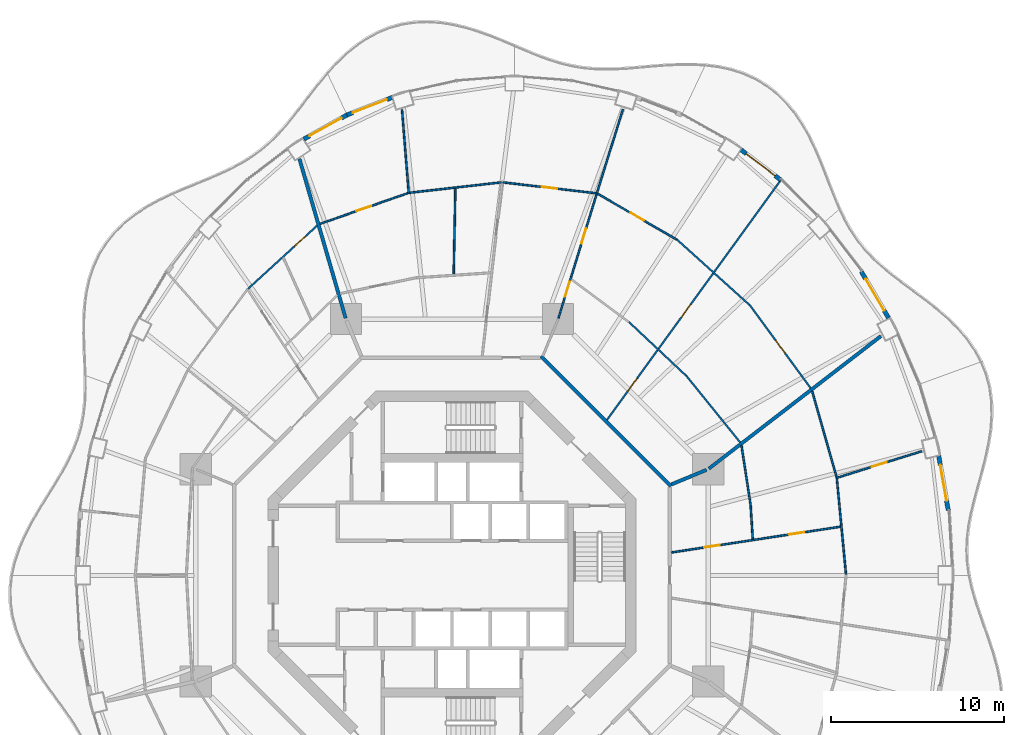
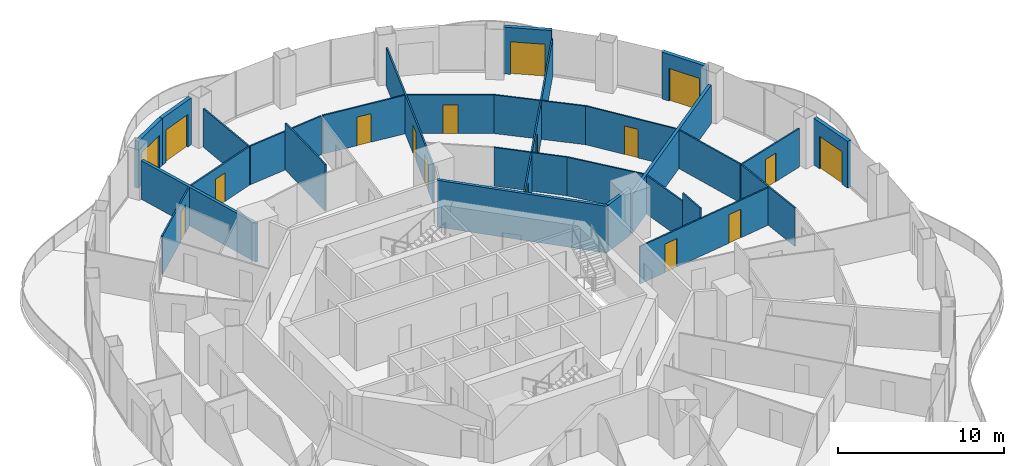
# One storey, part 15 of 19: 28 walls, 17 doors, 17 openings.
"""IFC4 building model written with IfcOpenShell, lengths in metres."""

from ifc_helpers import new_model, si_unit, direction, frame, frame_2d, origin, place, context, subcontext, project, spatial, rectangle, extrude, material, layer, layer_set, type_object, element, fill, save


model = new_model("IFC4")

# Units and contexts
model_context = context("Model", 3, precision=1e-05, world=origin(), true_north=direction((0.0, 1.0)))
body_context = subcontext(model_context, "Body", "Model", "MODEL_VIEW")
ifc_project = project(units=[si_unit("LENGTHUNIT", "METRE"), si_unit("AREAUNIT", "SQUARE_METRE"), si_unit("VOLUMEUNIT", "CUBIC_METRE"), si_unit("PLANEANGLEUNIT", "RADIAN"), si_unit("MASSUNIT", "GRAM", prefix="KILO")], contexts=[model_context])

# Site, building, storey
site_placement = place(None, origin())
site = spatial("IfcSite", under=ifc_project, at=site_placement, CompositionType="ELEMENT")
building_placement = place(site_placement, origin())
building = spatial("IfcBuilding", under=site, at=building_placement, Name="Nagisa Residences", CompositionType="ELEMENT")
storey_placement = place(building_placement, frame((0.0, 0.0, 195.5)))
storey = spatial("IfcBuildingStorey", under=building, at=storey_placement, Name="L49", CompositionType="ELEMENT", Elevation=195.5)

# Walls
ifc_material_1 = material(Name="Gypsum board on steel studs", Category="steel")
ifc_layer_1 = layer(ifc_material_1, 0.199951171875)
ifc_layer_set_1 = layer_set([ifc_layer_1], Name="Apartment compartment wall EI60 200")
wall_type_1 = type_object("IfcWallType", Name="Apartment compartment wall EI60 200", PredefinedType="PARTITIONING", material=ifc_layer_set_1)
wall_1_placement = place(storey_placement, frame((12.6572265625, 5.24267578125, 0.0), z_axis=(0.0, 0.0, 1.0), x_axis=(0.92383017907, 0.382802560388, 0.0)))
element("IfcWall", 1, at=wall_1_placement, inside=storey, type_object=wall_type_1, Name="wall:L49:u00", PredefinedType="PARTITIONING", context=body_context, shape_type="SweptSolid", body=[
    extrude(rectangle(XDim=2.2001953125, YDim=0.199951171875, at=frame_2d((1.10009765625, 0.0))), origin(), (0.0, 0.0, 1.0), 3.43994140625),
])
wall_2_placement = place(storey_placement, frame((14.82177734375, 6.153564453125, 0.0), z_axis=(0.0, 0.0, 1.0), x_axis=(0.792203056092, 0.610257583254, 0.0)))
element("IfcWall", 2, at=wall_2_placement, inside=storey, type_object=wall_type_1, Name="wall:L49:u01", PredefinedType="PARTITIONING", context=body_context, shape_type="SweptSolid", body=[
    extrude(rectangle(XDim=12.53271484375, YDim=0.199951171875, at=frame_2d((6.266357421875, 0.0))), origin(), (0.0, 0.0, 1.0), 2.8369140625),
])
wall_3_placement = place(storey_placement, frame((-6.136962890625, 14.830078125, 0.0), z_axis=(0.0, 0.0, 1.0), x_axis=(-0.278461169897, 0.96044748782, 0.0)))
element("IfcWall", 3, at=wall_3_placement, inside=storey, type_object=wall_type_1, Name="wall:L49:u03", PredefinedType="PARTITIONING", context=body_context, shape_type="SweptSolid", body=[
    extrude(rectangle(XDim=9.5732421875, YDim=0.199951171875, at=frame_2d((4.78662109375, 0.0))), origin(), (0.0, 0.0, 1.0), 2.8369140625),
])
ifc_material_2 = material(Name="Gypsum board on steel studs", Category="steel")
ifc_layer_2 = layer(ifc_material_2, 0.199951171875)
ifc_layer_set_2 = layer_set([ifc_layer_2], Name="Apartment entry wall EI60 200")
wall_type_2 = type_object("IfcWallType", Name="Apartment entry wall EI60 200", PredefinedType="PARTITIONING", material=ifc_layer_set_2)
wall_4_placement = place(storey_placement, frame((12.635498046875, 5.1337890625, 0.0), z_axis=(0.0, 0.0, 1.0), x_axis=(-0.707106781187, 0.707106781187, 0.0)))
element("IfcWall", 4, at=wall_4_placement, inside=storey, type_object=wall_type_2, Name="wall:L49:u11", PredefinedType="PARTITIONING", context=body_context, shape_type="SweptSolid", body=[
    extrude(rectangle(XDim=10.609130859375, YDim=0.199951171875, at=frame_2d((5.3046875, 0.0))), origin(), (0.0, 0.0, 1.0), 3.43994140625),
])
ifc_material_3 = material(Name="Gypsum board on steel studs", Category="steel")
ifc_layer_3 = layer(ifc_material_3, 0.10009765625)
ifc_layer_set_3 = layer_set([ifc_layer_3], Name="Apartment partition 100")
wall_type_3 = type_object("IfcWallType", Name="Apartment partition 100", PredefinedType="PARTITIONING", material=ifc_layer_set_3)
wall_5_placement = place(storey_placement, frame((22.734375, 0.0498046875, 0.0), z_axis=(0.0, 0.0, 1.0), x_axis=(-0.094923312677, 0.995484587882, 0.0)))
element("IfcWall", 5, at=wall_5_placement, inside=storey, type_object=wall_type_3, Name="wall:L49:u18", PredefinedType="PARTITIONING", context=body_context, shape_type="SweptSolid", body=[
    extrude(rectangle(XDim=5.5478515625, YDim=0.10009765625, at=frame_2d((2.77392578125, 0.0))), origin(), (0.0, 0.0, 1.0), 2.8369140625),
])

# Wall, openings, doors
wall_6_placement = place(storey_placement, frame((12.66357421875, 1.316162109375, 0.0), z_axis=(0.0, 0.0, 1.0), x_axis=(0.988579217853, 0.150702123505, 0.0)))
wall_6 = element("IfcWall", 6, at=wall_6_placement, inside=storey, type_object=wall_type_3, Name="wall:L49:u20", PredefinedType="PARTITIONING", context=body_context, shape_type="SweptSolid", body=[
    extrude(rectangle(XDim=9.870849609375, YDim=0.10009765625, at=frame_2d((4.935546875, 0.0))), origin(), (0.0, 0.0, 1.0), 2.756103515625),
])
opening_1_placement = place(wall_6_placement, frame((1.92431640625, 0.0, 0.0)))
opening_1 = element("IfcOpeningElement", 7, at=opening_1_placement, cuts=wall_6, Name="Opening L49-U24", PredefinedType="OPENING", context=body_context, shape_type="SweptSolid", body=[
    extrude(rectangle(XDim=0.89990234375, YDim=2.10009765625, at=frame_2d((0.449951171875, 1.050048828125))), frame((0.0, 0.06005859375, 0.0), z_axis=(0.0, -1.0, 0.0), x_axis=(1.0, 0.0, 0.0)), (0.0, 0.0, 1.0), 0.1201171875),
])
opening_2_placement = place(wall_6_placement, frame((6.859619140625, 0.0, 0.0)))
opening_2 = element("IfcOpeningElement", 8, at=opening_2_placement, cuts=wall_6, Name="Opening L49-U27", PredefinedType="OPENING", context=body_context, shape_type="SweptSolid", body=[
    extrude(rectangle(XDim=0.89990234375, YDim=2.10009765625, at=frame_2d((0.449951171875, 1.050048828125))), frame((0.0, 0.06005859375, 0.0), z_axis=(0.0, -1.0, 0.0), x_axis=(1.0, 0.0, 0.0)), (0.0, 0.0, 1.0), 0.1201171875),
])
ifc_material_4 = material(Name="Timber door set", Category="wood")
door_type_1 = type_object("IfcDoorType", Name="Apartment door 900x2100", OperationType="NOTDEFINED", PredefinedType="DOOR", material=ifc_material_4)
door_1_placement = place(opening_1_placement, origin())
door_1 = element("IfcDoor", 9, at=door_1_placement, inside=storey, type_object=door_type_1, Name="Door to laundry, Apartment 49C", OperationType="SINGLE_SWING_RIGHT", OverallHeight=2.10009765625, OverallWidth=0.89990234375, PredefinedType="DOOR", context=body_context, shape_type="SweptSolid", body=[
    extrude(rectangle(XDim=0.89990234375, YDim=2.10009765625, at=frame_2d((0.449951171875, 1.050048828125))), frame((0.0, 0.02490234375, 0.0), z_axis=(0.0, -1.0, 0.0), x_axis=(1.0, 0.0, 0.0)), (0.0, 0.0, 1.0), 0.050048828125),
])
fill(opening_1, door_1)
door_2_placement = place(opening_2_placement, origin())
door_2 = element("IfcDoor", 10, at=door_2_placement, inside=storey, type_object=door_type_1, Name="Door to kitchen, Apartment 49C", OperationType="SINGLE_SWING_LEFT", OverallHeight=2.10009765625, OverallWidth=0.89990234375, PredefinedType="DOOR", context=body_context, shape_type="SweptSolid", body=[
    extrude(rectangle(XDim=0.89990234375, YDim=2.10009765625, at=frame_2d((0.449951171875, 1.050048828125))), frame((0.0, 0.02490234375, 0.0), z_axis=(0.0, -1.0, 0.0), x_axis=(1.0, 0.0, 0.0)), (0.0, 0.0, 1.0), 0.050048828125),
])
fill(opening_2, door_2)

# Walls
wall_7_placement = place(storey_placement, frame((17.35498046875, 2.081787109375, 0.0), z_axis=(0.0, 0.0, 1.0), x_axis=(-0.063689464349, 0.997969765139, 0.0)))
element("IfcWall", 11, at=wall_7_placement, inside=storey, type_object=wall_type_3, Name="wall:L49:u21", PredefinedType="PARTITIONING", context=body_context, shape_type="SweptSolid", body=[
    extrude(rectangle(XDim=1.935791015625, YDim=0.10009765625, at=frame_2d((0.9677734375, 0.0))), origin(), (0.0, 0.0, 1.0), 3.43994140625),
])
wall_8_placement = place(storey_placement, frame((17.236083984375, 4.01416015625, 0.0), z_axis=(0.0, 0.0, 1.0), x_axis=(-0.151087537093, 0.988520387314, 0.0)))
element("IfcWall", 12, at=wall_8_placement, inside=storey, type_object=wall_type_3, Name="wall:L49:u22", PredefinedType="PARTITIONING", context=body_context, shape_type="SweptSolid", body=[
    extrude(rectangle(XDim=3.519287109375, YDim=0.10009765625, at=frame_2d((1.759765625, 0.0))), origin(), (0.0, 0.0, 1.0), 2.8369140625),
])

# Wall, opening, door
wall_9_placement = place(storey_placement, frame((22.1552734375, 5.607421875, 0.0), z_axis=(0.0, 0.0, 1.0), x_axis=(0.954251251005, 0.299005936321, 0.0)))
wall_9 = element("IfcWall", 13, at=wall_9_placement, inside=storey, type_object=wall_type_3, Name="wall:L49:u23", PredefinedType="PARTITIONING", context=body_context, shape_type="SweptSolid", body=[
    extrude(rectangle(XDim=5.19140625, YDim=0.10009765625, at=frame_2d((2.595703125, 0.0))), origin(), (0.0, 0.0, 1.0), 2.8369140625),
])
opening_3_placement = place(wall_9_placement, frame((2.170654296875, 0.0, 0.0)))
opening_3 = element("IfcOpeningElement", 14, at=opening_3_placement, cuts=wall_9, Name="Opening L49-U30", PredefinedType="OPENING", context=body_context, shape_type="SweptSolid", body=[
    extrude(rectangle(XDim=0.89990234375, YDim=2.10009765625, at=frame_2d((0.449951171875, 1.050048828125))), frame((0.0, 0.06005859375, 0.0), z_axis=(0.0, -1.0, 0.0), x_axis=(1.0, 0.0, 0.0)), (0.0, 0.0, 1.0), 0.1201171875),
])
door_3_placement = place(opening_3_placement, origin())
door_3 = element("IfcDoor", 15, at=door_3_placement, inside=storey, type_object=door_type_1, Name="Door to bedroom, Apartment 49C", OperationType="SINGLE_SWING_RIGHT", OverallHeight=2.10009765625, OverallWidth=0.89990234375, PredefinedType="DOOR", context=body_context, shape_type="SweptSolid", body=[
    extrude(rectangle(XDim=0.89990234375, YDim=2.10009765625, at=frame_2d((0.449951171875, 1.050048828125))), frame((0.0, 0.02490234375, 0.0), z_axis=(0.0, -1.0, 0.0), x_axis=(1.0, 0.0, 0.0)), (0.0, 0.0, 1.0), 0.050048828125),
])
fill(opening_3, door_3)

# Walls
wall_10_placement = place(storey_placement, frame((22.189453125, 5.67041015625, 0.0), z_axis=(0.0, 0.0, 1.0), x_axis=(-0.273819702124, 0.961781040949, 0.0)))
element("IfcWall", 16, at=wall_10_placement, inside=storey, type_object=wall_type_3, Name="wall:L49:u24", PredefinedType="PARTITIONING", context=body_context, shape_type="SweptSolid", body=[
    extrude(rectangle(XDim=5.151611328125, YDim=0.10009765625, at=frame_2d((2.57568359375, 0.0))), origin(), (0.0, 0.0, 1.0), 2.8369140625),
])
wall_11_placement = place(storey_placement, frame((16.626220703125, 7.669921875, 0.0), z_axis=(0.0, 0.0, 1.0), x_axis=(-0.628764602857, 0.777595700987, 0.0)))
element("IfcWall", 17, at=wall_11_placement, inside=storey, type_object=wall_type_3, Name="wall:L49:u25", PredefinedType="PARTITIONING", context=body_context, shape_type="SweptSolid", body=[
    extrude(rectangle(XDim=4.957275390625, YDim=0.10009765625, at=frame_2d((2.478515625, 0.0))), origin(), (0.0, 0.0, 1.0), 2.8369140625),
])

# Wall, opening, door
wall_12_placement = place(storey_placement, frame((20.6923828125, 10.802001953125, 0.0), z_axis=(0.0, 0.0, 1.0), x_axis=(-0.591122127251, 0.806582066918, 0.0)))
wall_12 = element("IfcWall", 18, at=wall_12_placement, inside=storey, type_object=wall_type_3, Name="wall:L49:u26", PredefinedType="PARTITIONING", context=body_context, shape_type="SweptSolid", body=[
    extrude(rectangle(XDim=5.960205078125, YDim=0.10009765625, at=frame_2d((2.97998046875, 0.0))), origin(), (0.0, 0.0, 1.0), 2.8369140625),
])
opening_4_placement = place(wall_12_placement, frame((2.5048828125, 0.0, 0.0)))
opening_4 = element("IfcOpeningElement", 19, at=opening_4_placement, cuts=wall_12, Name="Opening L49-U42", PredefinedType="OPENING", context=body_context, shape_type="SweptSolid", body=[
    extrude(rectangle(XDim=0.89990234375, YDim=2.10009765625, at=frame_2d((0.449951171875, 1.050048828125))), frame((0.0, 0.06005859375, 0.0), z_axis=(0.0, -1.0, 0.0), x_axis=(1.0, 0.0, 0.0)), (0.0, 0.0, 1.0), 0.1201171875),
])
door_4_placement = place(opening_4_placement, frame((0.89990234375, 0.0, 0.0), x_axis=(-1.0, 0.0, 0.0)))
door_4 = element("IfcDoor", 20, at=door_4_placement, inside=storey, type_object=door_type_1, Name="Door to dining room, Apartment 49D", OperationType="SINGLE_SWING_LEFT", OverallHeight=2.10009765625, OverallWidth=0.89990234375, PredefinedType="DOOR", context=body_context, shape_type="SweptSolid", body=[
    extrude(rectangle(XDim=0.89990234375, YDim=2.10009765625, at=frame_2d((0.449951171875, 1.050048828125))), frame((0.0, 0.02490234375, 0.0), z_axis=(0.0, -1.0, 0.0), x_axis=(1.0, 0.0, 0.0)), (0.0, 0.0, 1.0), 0.050048828125),
])
fill(opening_4, door_4)

# Walls
wall_13_placement = place(storey_placement, frame((13.50439453125, 11.52001953125, 0.0), z_axis=(0.0, 0.0, 1.0), x_axis=(-0.728883199496, 0.684638066055, 0.0)))
element("IfcWall", 21, at=wall_13_placement, inside=storey, type_object=wall_type_3, Name="wall:L49:u27", PredefinedType="PARTITIONING", context=body_context, shape_type="SweptSolid", body=[
    extrude(rectangle(XDim=4.519287109375, YDim=0.10009765625, at=frame_2d((2.259765625, 0.0))), origin(), (0.0, 0.0, 1.0), 2.8369140625),
])
wall_14_placement = place(storey_placement, frame((17.16162109375, 15.6025390625, 0.0), z_axis=(0.0, 0.0, 1.0), x_axis=(-0.742768881471, 0.669547898748, 0.0)))
element("IfcWall", 22, at=wall_14_placement, inside=storey, type_object=wall_type_3, Name="wall:L49:u28", PredefinedType="PARTITIONING", context=body_context, shape_type="SweptSolid", body=[
    extrude(rectangle(XDim=5.6416015625, YDim=0.10009765625, at=frame_2d((2.82080078125, 0.0))), origin(), (0.0, 0.0, 1.0), 2.8369140625),
])

# Wall, openings, doors
wall_15_placement = place(storey_placement, frame((8.943359375, 8.965576171875, 0.0), z_axis=(0.0, 0.0, 1.0), x_axis=(0.586803608919, 0.809729290912, 0.0)))
wall_15 = element("IfcWall", 23, at=wall_15_placement, inside=storey, type_object=wall_type_3, Name="wall:L49:u29", PredefinedType="PARTITIONING", context=body_context, shape_type="SweptSolid", body=[
    extrude(rectangle(XDim=17.1787109375, YDim=0.10009765625, at=frame_2d((8.58935546875, 0.0))), origin(), (0.0, 0.0, 1.0), 2.756103515625),
])
opening_5_placement = place(wall_15_placement, frame((2.0625, 0.0, 0.0)))
opening_5 = element("IfcOpeningElement", 24, at=opening_5_placement, cuts=wall_15, Name="Opening L49-U40", PredefinedType="OPENING", context=body_context, shape_type="SweptSolid", body=[
    extrude(rectangle(XDim=0.89990234375, YDim=2.10009765625, at=frame_2d((0.449951171875, 1.050048828125))), frame((0.0, 0.06005859375, 0.0), z_axis=(0.0, -1.0, 0.0), x_axis=(1.0, 0.0, 0.0)), (0.0, 0.0, 1.0), 0.1201171875),
])
opening_6_placement = place(wall_15_placement, frame((7.307861328125, 0.0, 0.0)))
opening_6 = element("IfcOpeningElement", 25, at=opening_6_placement, cuts=wall_15, Name="Opening L49-U41", PredefinedType="OPENING", context=body_context, shape_type="SweptSolid", body=[
    extrude(rectangle(XDim=0.89990234375, YDim=2.10009765625, at=frame_2d((0.449951171875, 1.050048828125))), frame((0.0, 0.06005859375, 0.0), z_axis=(0.0, -1.0, 0.0), x_axis=(1.0, 0.0, 0.0)), (0.0, 0.0, 1.0), 0.1201171875),
])
door_5_placement = place(opening_5_placement, frame((0.89990234375, 0.0, 0.0), x_axis=(-1.0, 0.0, 0.0)))
door_5 = element("IfcDoor", 26, at=door_5_placement, inside=storey, type_object=door_type_1, Name="Door to store, Apartment 49D", OperationType="SINGLE_SWING_LEFT", OverallHeight=2.10009765625, OverallWidth=0.89990234375, PredefinedType="DOOR", context=body_context, shape_type="SweptSolid", body=[
    extrude(rectangle(XDim=0.89990234375, YDim=2.10009765625, at=frame_2d((0.449951171875, 1.050048828125))), frame((0.0, 0.02490234375, 0.0), z_axis=(0.0, -1.0, 0.0), x_axis=(1.0, 0.0, 0.0)), (0.0, 0.0, 1.0), 0.050048828125),
])
fill(opening_5, door_5)
door_6_placement = place(opening_6_placement, frame((0.89990234375, 0.0, 0.0), x_axis=(-1.0, 0.0, 0.0)))
door_6 = element("IfcDoor", 27, at=door_6_placement, inside=storey, type_object=door_type_1, Name="Door to kitchen, Apartment 49D", OperationType="SINGLE_SWING_RIGHT", OverallHeight=2.10009765625, OverallWidth=0.89990234375, PredefinedType="DOOR", context=body_context, shape_type="SweptSolid", body=[
    extrude(rectangle(XDim=0.89990234375, YDim=2.10009765625, at=frame_2d((0.449951171875, 1.050048828125))), frame((0.0, 0.02490234375, 0.0), z_axis=(0.0, -1.0, 0.0), x_axis=(1.0, 0.0, 0.0)), (0.0, 0.0, 1.0), 0.050048828125),
])
fill(opening_6, door_6)

# Wall, opening, door
wall_16_placement = place(storey_placement, frame((12.965087890625, 19.371337890625, 0.0), z_axis=(0.0, 0.0, 1.0), x_axis=(-0.865277177388, 0.501293732547, 0.0)))
wall_16 = element("IfcWall", 28, at=wall_16_placement, inside=storey, type_object=wall_type_3, Name="wall:L49:u31", PredefinedType="PARTITIONING", context=body_context, shape_type="SweptSolid", body=[
    extrude(rectangle(XDim=5.27001953125, YDim=0.10009765625, at=frame_2d((2.635009765625, 0.0))), origin(), (0.0, 0.0, 1.0), 2.8369140625),
])
opening_7_placement = place(wall_16_placement, frame((2.18505859375, 0.0, 0.0)))
opening_7 = element("IfcOpeningElement", 29, at=opening_7_placement, cuts=wall_16, Name="Opening L49-U37", PredefinedType="OPENING", context=body_context, shape_type="SweptSolid", body=[
    extrude(rectangle(XDim=0.89990234375, YDim=2.10009765625, at=frame_2d((0.449951171875, 1.050048828125))), frame((0.0, 0.06005859375, 0.0), z_axis=(0.0, -1.0, 0.0), x_axis=(1.0, 0.0, 0.0)), (0.0, 0.0, 1.0), 0.1201171875),
])
door_7_placement = place(opening_7_placement, frame((0.89990234375, 0.0, 0.0), x_axis=(-1.0, 0.0, 0.0)))
door_7 = element("IfcDoor", 30, at=door_7_placement, inside=storey, type_object=door_type_1, Name="Door to master bedroom, Apartment 49D", OperationType="SINGLE_SWING_RIGHT", OverallHeight=2.10009765625, OverallWidth=0.89990234375, PredefinedType="DOOR", context=body_context, shape_type="SweptSolid", body=[
    extrude(rectangle(XDim=0.89990234375, YDim=2.10009765625, at=frame_2d((0.449951171875, 1.050048828125))), frame((0.0, 0.02490234375, 0.0), z_axis=(0.0, -1.0, 0.0), x_axis=(1.0, 0.0, 0.0)), (0.0, 0.0, 1.0), 0.050048828125),
])
fill(opening_7, door_7)

# Wall, openings, doors
wall_17_placement = place(storey_placement, frame((6.1376953125, 14.829833984375, 0.0), z_axis=(0.0, 0.0, 1.0), x_axis=(0.294818517221, 0.955553264818, 0.0)))
wall_17 = element("IfcWall", 31, at=wall_17_placement, inside=storey, type_object=wall_type_3, Name="wall:L49:u33", PredefinedType="PARTITIONING", context=body_context, shape_type="SweptSolid", body=[
    extrude(rectangle(XDim=12.619384765625, YDim=0.10009765625, at=frame_2d((6.3095703125, 0.0))), origin(), (0.0, 0.0, 1.0), 2.8369140625),
])
opening_8_placement = place(wall_17_placement, frame((1.3056640625, 0.0, 0.0)))
opening_8 = element("IfcOpeningElement", 32, at=opening_8_placement, cuts=wall_17, Name="Opening L49-U32", PredefinedType="OPENING", context=body_context, shape_type="SweptSolid", body=[
    extrude(rectangle(XDim=0.89990234375, YDim=2.10009765625, at=frame_2d((0.449951171875, 1.050048828125))), frame((0.0, 0.06005859375, 0.0), z_axis=(0.0, -1.0, 0.0), x_axis=(1.0, 0.0, 0.0)), (0.0, 0.0, 1.0), 0.1201171875),
])
opening_9_placement = place(wall_17_placement, frame((4.5146484375, 0.0, 0.0)))
opening_9 = element("IfcOpeningElement", 33, at=opening_9_placement, cuts=wall_17, Name="Opening L49-U34", PredefinedType="OPENING", context=body_context, shape_type="SweptSolid", body=[
    extrude(rectangle(XDim=0.89990234375, YDim=2.10009765625, at=frame_2d((0.449951171875, 1.050048828125))), frame((0.0, 0.06005859375, 0.0), z_axis=(0.0, -1.0, 0.0), x_axis=(1.0, 0.0, 0.0)), (0.0, 0.0, 1.0), 0.1201171875),
])
door_8_placement = place(opening_8_placement, frame((0.89990234375, 0.0, 0.0), x_axis=(-1.0, 0.0, 0.0)))
door_8 = element("IfcDoor", 34, at=door_8_placement, inside=storey, type_object=door_type_1, Name="Door to laundry, Apartment 49D", OperationType="SINGLE_SWING_LEFT", OverallHeight=2.10009765625, OverallWidth=0.89990234375, PredefinedType="DOOR", context=body_context, shape_type="SweptSolid", body=[
    extrude(rectangle(XDim=0.89990234375, YDim=2.10009765625, at=frame_2d((0.449951171875, 1.050048828125))), frame((0.0, 0.02490234375, 0.0), z_axis=(0.0, -1.0, 0.0), x_axis=(1.0, 0.0, 0.0)), (0.0, 0.0, 1.0), 0.050048828125),
])
fill(opening_8, door_8)
door_9_placement = place(opening_9_placement, frame((0.89990234375, 0.0, 0.0), x_axis=(-1.0, 0.0, 0.0)))
door_9 = element("IfcDoor", 35, at=door_9_placement, inside=storey, type_object=door_type_1, Name="Door to study, Apartment 49D", OperationType="SINGLE_SWING_LEFT", OverallHeight=2.10009765625, OverallWidth=0.89990234375, PredefinedType="DOOR", context=body_context, shape_type="SweptSolid", body=[
    extrude(rectangle(XDim=0.89990234375, YDim=2.10009765625, at=frame_2d((0.449951171875, 1.050048828125))), frame((0.0, 0.02490234375, 0.0), z_axis=(0.0, -1.0, 0.0), x_axis=(1.0, 0.0, 0.0)), (0.0, 0.0, 1.0), 0.050048828125),
])
fill(opening_9, door_9)

# Wall, opening, door
wall_18_placement = place(storey_placement, frame((8.31201171875, 22.0439453125, 0.0), z_axis=(0.0, 0.0, 1.0), x_axis=(-0.993245806382, 0.1160291692, 0.0)))
wall_18 = element("IfcWall", 36, at=wall_18_placement, inside=storey, type_object=wall_type_3, Name="wall:L49:u34", PredefinedType="PARTITIONING", context=body_context, shape_type="SweptSolid", body=[
    extrude(rectangle(XDim=5.40771484375, YDim=0.10009765625, at=frame_2d((2.703857421875, 0.0))), origin(), (0.0, 0.0, 1.0), 2.8369140625),
])
opening_10_placement = place(wall_18_placement, frame((2.25390625, 0.0, 0.0)))
opening_10 = element("IfcOpeningElement", 37, at=opening_10_placement, cuts=wall_18, Name="Opening L49-U38", PredefinedType="OPENING", context=body_context, shape_type="SweptSolid", body=[
    extrude(rectangle(XDim=0.89990234375, YDim=2.10009765625, at=frame_2d((0.449951171875, 1.050048828125))), frame((0.0, 0.06005859375, 0.0), z_axis=(0.0, -1.0, 0.0), x_axis=(1.0, 0.0, 0.0)), (0.0, 0.0, 1.0), 0.1201171875),
])
door_10_placement = place(opening_10_placement, frame((0.89990234375, 0.0, 0.0), x_axis=(-1.0, 0.0, 0.0)))
door_10 = element("IfcDoor", 38, at=door_10_placement, inside=storey, type_object=door_type_1, Name="Door to family room, Apartment 49D", OperationType="SINGLE_SWING_LEFT", OverallHeight=2.10009765625, OverallWidth=0.89990234375, PredefinedType="DOOR", context=body_context, shape_type="SweptSolid", body=[
    extrude(rectangle(XDim=0.89990234375, YDim=2.10009765625, at=frame_2d((0.449951171875, 1.050048828125))), frame((0.0, 0.02490234375, 0.0), z_axis=(0.0, -1.0, 0.0), x_axis=(1.0, 0.0, 0.0)), (0.0, 0.0, 1.0), 0.050048828125),
])
fill(opening_10, door_10)

# Walls
wall_19_placement = place(storey_placement, frame((2.841552734375, 22.67138671875, 0.0), z_axis=(0.0, 0.0, 1.0), x_axis=(-0.993660315081, -0.112424099879, 0.0)))
element("IfcWall", 39, at=wall_19_placement, inside=storey, type_object=wall_type_3, Name="wall:L49:u37", PredefinedType="PARTITIONING", context=body_context, shape_type="SweptSolid", body=[
    extrude(rectangle(XDim=5.32470703125, YDim=0.10009765625, at=frame_2d((2.662353515625, 0.0))), origin(), (0.0, 0.0, 1.0), 2.8369140625),
])
wall_20_placement = place(storey_placement, frame((0.095947265625, 17.3603515625, 0.0), z_axis=(0.0, 0.0, 1.0), x_axis=(0.019973380305, 0.999800512142, 0.0)))
element("IfcWall", 40, at=wall_20_placement, inside=storey, type_object=wall_type_3, Name="wall:L49:u38", PredefinedType="PARTITIONING", context=body_context, shape_type="SweptSolid", body=[
    extrude(rectangle(XDim=4.962646484375, YDim=0.10009765625, at=frame_2d((2.4814453125, 0.0))), origin(), (0.0, 0.0, 1.0), 3.43994140625),
])
wall_21_placement = place(storey_placement, frame((-2.4951171875, 22.017333984375, 0.0), z_axis=(0.0, 0.0, 1.0), x_axis=(-0.080150660566, 0.99678276049, 0.0)))
element("IfcWall", 41, at=wall_21_placement, inside=storey, type_object=wall_type_3, Name="wall:L49:u40", PredefinedType="PARTITIONING", context=body_context, shape_type="SweptSolid", body=[
    extrude(rectangle(XDim=4.8583984375, YDim=0.10009765625, at=frame_2d((2.42919921875, 0.0))), origin(), (0.0, 0.0, 1.0), 2.8369140625),
])

# Wall, opening, door
wall_22_placement = place(storey_placement, frame((-2.54638671875, 22.050537109375, 0.0), z_axis=(0.0, 0.0, 1.0), x_axis=(-0.94391294884, -0.330194404878, 0.0)))
wall_22 = element("IfcWall", 42, at=wall_22_placement, inside=storey, type_object=wall_type_3, Name="wall:L49:u41", PredefinedType="PARTITIONING", context=body_context, shape_type="SweptSolid", body=[
    extrude(rectangle(XDim=5.3671875, YDim=0.10009765625, at=frame_2d((2.68359375, 0.0))), origin(), (0.0, 0.0, 1.0), 2.8369140625),
])
opening_11_placement = place(wall_22_placement, frame((2.233642578125, 0.0, 0.0)))
opening_11 = element("IfcOpeningElement", 43, at=opening_11_placement, cuts=wall_22, Name="Opening L49-U39", PredefinedType="OPENING", context=body_context, shape_type="SweptSolid", body=[
    extrude(rectangle(XDim=0.89990234375, YDim=2.10009765625, at=frame_2d((0.449951171875, 1.050048828125))), frame((0.0, 0.06005859375, 0.0), z_axis=(0.0, -1.0, 0.0), x_axis=(1.0, 0.0, 0.0)), (0.0, 0.0, 1.0), 0.1201171875),
])
door_11_placement = place(opening_11_placement, frame((0.89990234375, 0.0, 0.0), x_axis=(-1.0, 0.0, 0.0)))
door_11 = element("IfcDoor", 44, at=door_11_placement, inside=storey, type_object=door_type_1, Name="Door to master bedroom, Apartment 49D", OperationType="SINGLE_SWING_RIGHT", OverallHeight=2.10009765625, OverallWidth=0.89990234375, PredefinedType="DOOR", context=body_context, shape_type="SweptSolid", body=[
    extrude(rectangle(XDim=0.89990234375, YDim=2.10009765625, at=frame_2d((0.449951171875, 1.050048828125))), frame((0.0, 0.02490234375, 0.0), z_axis=(0.0, -1.0, 0.0), x_axis=(1.0, 0.0, 0.0)), (0.0, 0.0, 1.0), 0.050048828125),
])
fill(opening_11, door_11)

wall_23_placement = place(storey_placement, frame((-7.78076171875, 20.177734375, 0.0), z_axis=(0.0, 0.0, 1.0), x_axis=(-0.73807320557, -0.674720640872, 0.0)))
wall_23 = element("IfcWall", 45, at=wall_23_placement, inside=storey, type_object=wall_type_3, Name="wall:L49:u43", PredefinedType="PARTITIONING", context=body_context, shape_type="SweptSolid", body=[
    extrude(rectangle(XDim=5.39892578125, YDim=0.10009765625, at=frame_2d((2.699462890625, 0.0))), origin(), (0.0, 0.0, 1.0), 2.8369140625),
])
opening_12_placement = place(wall_23_placement, frame((0.88720703125, 0.0, 0.0)))
opening_12 = element("IfcOpeningElement", 46, at=opening_12_placement, cuts=wall_23, Name="Opening L49-U53", PredefinedType="OPENING", context=body_context, shape_type="SweptSolid", body=[
    extrude(rectangle(XDim=0.89990234375, YDim=2.10009765625, at=frame_2d((0.449951171875, 1.050048828125))), frame((0.0, 0.06005859375, 0.0), z_axis=(0.0, -1.0, 0.0), x_axis=(1.0, 0.0, 0.0)), (0.0, 0.0, 1.0), 0.1201171875),
])
door_12_placement = place(opening_12_placement, origin())
door_12 = element("IfcDoor", 47, at=door_12_placement, inside=storey, type_object=door_type_1, Name="Door to en-suite bathroom, Apartment 49E", OperationType="SINGLE_SWING_LEFT", OverallHeight=2.10009765625, OverallWidth=0.89990234375, PredefinedType="DOOR", context=body_context, shape_type="SweptSolid", body=[
    extrude(rectangle(XDim=0.89990234375, YDim=2.10009765625, at=frame_2d((0.449951171875, 1.050048828125))), frame((0.0, 0.02490234375, 0.0), z_axis=(0.0, -1.0, 0.0), x_axis=(1.0, 0.0, 0.0)), (0.0, 0.0, 1.0), 0.050048828125),
])
fill(opening_12, door_12)

ifc_material_5 = material(Name="Precast concrete C40/50", Category="concrete")
ifc_layer_4 = layer(ifc_material_5, 0.25)
ifc_layer_set_4 = layer_set([ifc_layer_4], Name="BALCONY DOOR WALL 250")
wall_type_4 = type_object("IfcWallType", Name="BALCONY DOOR WALL 250", PredefinedType="SOLIDWALL", material=ifc_layer_set_4)
wall_24_placement = place(storey_placement, frame((28.08203125, 6.91015625, 0.0), z_axis=(0.0, 0.0, 1.0), x_axis=(0.172149769468, -0.985070787747, 0.0)))
wall_24 = element("IfcWall", 48, at=wall_24_placement, inside=storey, type_object=wall_type_4, Name="wall:L49:bay01", PredefinedType="SOLIDWALL", context=body_context, shape_type="SweptSolid", body=[
    extrude(rectangle(XDim=3.210693359375, YDim=0.25, at=frame_2d((1.60546875, 0.0))), origin(), (0.0, 0.0, 1.0), 3.43994140625),
])
opening_13_placement = place(wall_24_placement, frame((0.555419921875, 0.0, 0.0)))
opening_13 = element("IfcOpeningElement", 49, at=opening_13_placement, cuts=wall_24, Name="Opening BD-L49-01", PredefinedType="OPENING", context=body_context, shape_type="SweptSolid", body=[
    extrude(rectangle(XDim=2.10009765625, YDim=2.39990234375, at=frame_2d((1.050048828125, 1.199951171875))), frame((0.0, 0.135009765625, 0.0), z_axis=(0.0, -1.0, 0.0), x_axis=(1.0, 0.0, 0.0)), (0.0, 0.0, 1.0), 0.27001953125),
])
ifc_material_6 = material(Name="Aluminium and clear glass", Category="aluminium")
door_type_2 = type_object("IfcDoorType", Name="BALCONY SLIDING DOOR 2100x2400", OperationType="SLIDING_TO_LEFT", PredefinedType="DOOR", material=ifc_material_6)
door_13_placement = place(opening_13_placement, origin())
door_13 = element("IfcDoor", 50, at=door_13_placement, inside=storey, type_object=door_type_2, Name="door:L49:bay01", OperationType="SLIDING_TO_LEFT", OverallHeight=2.39990234375, OverallWidth=2.10009765625, PredefinedType="DOOR", context=body_context, shape_type="SweptSolid", body=[
    extrude(rectangle(XDim=2.10009765625, YDim=2.39990234375, at=frame_2d((1.050048828125, 1.199951171875))), frame((0.0, 0.02490234375, 0.0), z_axis=(0.0, -1.0, 0.0), x_axis=(1.0, 0.0, 0.0)), (0.0, 0.0, 1.0), 0.050048828125),
])
fill(opening_13, door_13)

wall_25_placement = place(storey_placement, frame((23.62353515625, 17.5146484375, 0.0), z_axis=(0.0, 0.0, 1.0), x_axis=(0.506367803691, -0.862317602386, 0.0)))
wall_25 = element("IfcWall", 51, at=wall_25_placement, inside=storey, type_object=wall_type_4, Name="wall:L49:bay04", PredefinedType="SOLIDWALL", context=body_context, shape_type="SweptSolid", body=[
    extrude(rectangle(XDim=3.092041015625, YDim=0.25, at=frame_2d((1.5458984375, 0.0))), origin(), (0.0, 0.0, 1.0), 3.43994140625),
])
opening_14_placement = place(wall_25_placement, frame((0.495849609375, 0.0, 0.0)))
opening_14 = element("IfcOpeningElement", 52, at=opening_14_placement, cuts=wall_25, Name="Opening BD-L49-02", PredefinedType="OPENING", context=body_context, shape_type="SweptSolid", body=[
    extrude(rectangle(XDim=2.10009765625, YDim=2.39990234375, at=frame_2d((1.050048828125, 1.199951171875))), frame((0.0, 0.135009765625, 0.0), z_axis=(0.0, -1.0, 0.0), x_axis=(1.0, 0.0, 0.0)), (0.0, 0.0, 1.0), 0.27001953125),
])
door_14_placement = place(opening_14_placement, origin())
door_14 = element("IfcDoor", 53, at=door_14_placement, inside=storey, type_object=door_type_2, Name="door:L49:bay04", OperationType="SLIDING_TO_LEFT", OverallHeight=2.39990234375, OverallWidth=2.10009765625, PredefinedType="DOOR", context=body_context, shape_type="SweptSolid", body=[
    extrude(rectangle(XDim=2.10009765625, YDim=2.39990234375, at=frame_2d((1.050048828125, 1.199951171875))), frame((0.0, 0.02490234375, 0.0), z_axis=(0.0, -1.0, 0.0), x_axis=(1.0, 0.0, 0.0)), (0.0, 0.0, 1.0), 0.050048828125),
])
fill(opening_14, door_14)

wall_26_placement = place(storey_placement, frame((16.649658203125, 24.573974609375, 0.0), z_axis=(0.0, 0.0, 1.0), x_axis=(0.796055733703, -0.60522332146, 0.0)))
wall_26 = element("IfcWall", 54, at=wall_26_placement, inside=storey, type_object=wall_type_4, Name="wall:L49:bay07", PredefinedType="SOLIDWALL", context=body_context, shape_type="SweptSolid", body=[
    extrude(rectangle(XDim=2.9169921875, YDim=0.25, at=frame_2d((1.45849609375, 0.0))), origin(), (0.0, 0.0, 1.0), 3.43994140625),
])
opening_15_placement = place(wall_26_placement, frame((0.408447265625, 0.0, 0.0)))
opening_15 = element("IfcOpeningElement", 55, at=opening_15_placement, cuts=wall_26, Name="Opening BD-L49-03", PredefinedType="OPENING", context=body_context, shape_type="SweptSolid", body=[
    extrude(rectangle(XDim=2.10009765625, YDim=2.39990234375, at=frame_2d((1.050048828125, 1.199951171875))), frame((0.0, 0.135009765625, 0.0), z_axis=(0.0, -1.0, 0.0), x_axis=(1.0, 0.0, 0.0)), (0.0, 0.0, 1.0), 0.27001953125),
])
door_15_placement = place(opening_15_placement, origin())
door_15 = element("IfcDoor", 56, at=door_15_placement, inside=storey, type_object=door_type_2, Name="door:L49:bay07", OperationType="SLIDING_TO_LEFT", OverallHeight=2.39990234375, OverallWidth=2.10009765625, PredefinedType="DOOR", context=body_context, shape_type="SweptSolid", body=[
    extrude(rectangle(XDim=2.10009765625, YDim=2.39990234375, at=frame_2d((1.050048828125, 1.199951171875))), frame((0.0, 0.02490234375, 0.0), z_axis=(0.0, -1.0, 0.0), x_axis=(1.0, 0.0, 0.0)), (0.0, 0.0, 1.0), 0.050048828125),
])
fill(opening_15, door_15)

wall_27_placement = place(storey_placement, frame((-6.0654296875, 26.560302734375, 0.0), z_axis=(0.0, 0.0, 1.0), x_axis=(0.932795487898, 0.360406128911, 0.0)))
wall_27 = element("IfcWall", 57, at=wall_27_placement, inside=storey, type_object=wall_type_4, Name="wall:L49:bay14", PredefinedType="SOLIDWALL", context=body_context, shape_type="SweptSolid", body=[
    extrude(rectangle(XDim=2.8193359375, YDim=0.25, at=frame_2d((1.40966796875, 0.0))), origin(), (0.0, 0.0, 1.0), 3.43994140625),
])
opening_16_placement = place(wall_27_placement, frame((0.359619140625, 0.0, 0.0)))
opening_16 = element("IfcOpeningElement", 58, at=opening_16_placement, cuts=wall_27, Name="Opening BD-L49-05", PredefinedType="OPENING", context=body_context, shape_type="SweptSolid", body=[
    extrude(rectangle(XDim=2.10009765625, YDim=2.39990234375, at=frame_2d((1.050048828125, 1.199951171875))), frame((0.0, 0.135009765625, 0.0), z_axis=(0.0, -1.0, 0.0), x_axis=(1.0, 0.0, 0.0)), (0.0, 0.0, 1.0), 0.27001953125),
])
door_16_placement = place(opening_16_placement, origin())
door_16 = element("IfcDoor", 59, at=door_16_placement, inside=storey, type_object=door_type_2, Name="door:L49:bay14", OperationType="SLIDING_TO_LEFT", OverallHeight=2.39990234375, OverallWidth=2.10009765625, PredefinedType="DOOR", context=body_context, shape_type="SweptSolid", body=[
    extrude(rectangle(XDim=2.10009765625, YDim=2.39990234375, at=frame_2d((1.050048828125, 1.199951171875))), frame((0.0, 0.02490234375, 0.0), z_axis=(0.0, -1.0, 0.0), x_axis=(1.0, 0.0, 0.0)), (0.0, 0.0, 1.0), 0.050048828125),
])
fill(opening_16, door_16)

wall_28_placement = place(storey_placement, frame((-8.546630859375, 25.166748046875, 0.0), z_axis=(0.0, 0.0, 1.0), x_axis=(0.872078262455, 0.489366431371, 0.0)))
wall_28 = element("IfcWall", 60, at=wall_28_placement, inside=storey, type_object=wall_type_4, Name="wall:L49:bay15", PredefinedType="SOLIDWALL", context=body_context, shape_type="SweptSolid", body=[
    extrude(rectangle(XDim=2.863525390625, YDim=0.25, at=frame_2d((1.431640625, 0.0))), origin(), (0.0, 0.0, 1.0), 3.43994140625),
])
opening_17_placement = place(wall_28_placement, frame((0.3818359375, 0.0, 0.0)))
opening_17 = element("IfcOpeningElement", 61, at=opening_17_placement, cuts=wall_28, Name="Opening BD-L49-06", PredefinedType="OPENING", context=body_context, shape_type="SweptSolid", body=[
    extrude(rectangle(XDim=2.10009765625, YDim=2.39990234375, at=frame_2d((1.050048828125, 1.199951171875))), frame((0.0, 0.135009765625, 0.0), z_axis=(0.0, -1.0, 0.0), x_axis=(1.0, 0.0, 0.0)), (0.0, 0.0, 1.0), 0.27001953125),
])
door_17_placement = place(opening_17_placement, origin())
door_17 = element("IfcDoor", 62, at=door_17_placement, inside=storey, type_object=door_type_2, Name="door:L49:bay15", OperationType="SLIDING_TO_LEFT", OverallHeight=2.39990234375, OverallWidth=2.10009765625, PredefinedType="DOOR", context=body_context, shape_type="SweptSolid", body=[
    extrude(rectangle(XDim=2.10009765625, YDim=2.39990234375, at=frame_2d((1.050048828125, 1.199951171875))), frame((0.0, 0.02490234375, 0.0), z_axis=(0.0, -1.0, 0.0), x_axis=(1.0, 0.0, 0.0)), (0.0, 0.0, 1.0), 0.050048828125),
])
fill(opening_17, door_17)

save(model, "model.ifc")
